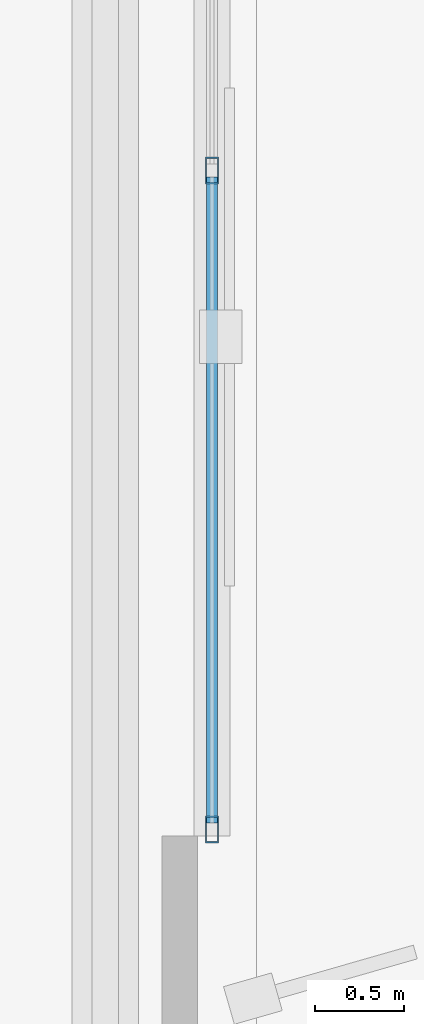
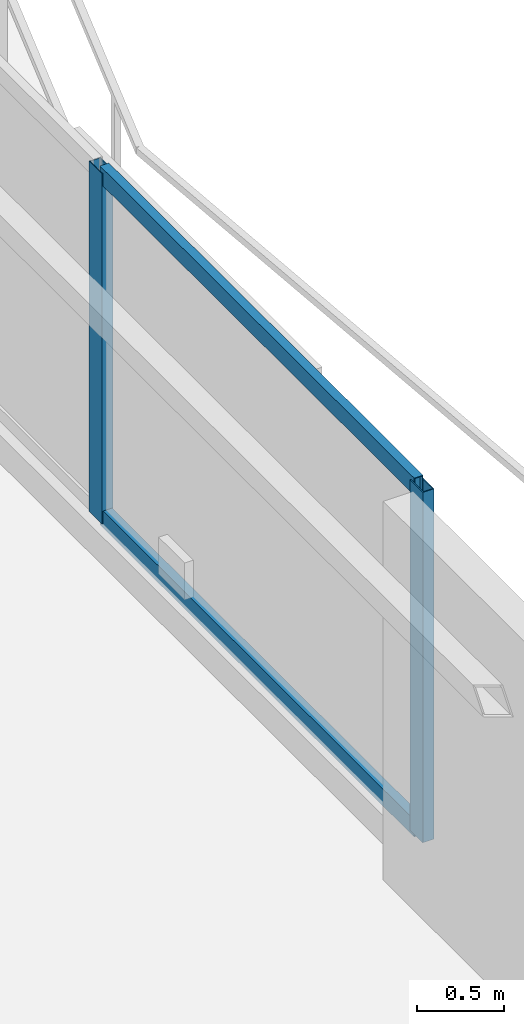
# One storey, part 8 of 23: 4 members, 1 element without a shape of its own.
"""IFC4 building model written with IfcOpenShell, lengths in metres."""

import ifcopenshell
import ifcopenshell.guid

model = None  # the IFC model being written
_history = None  # IfcOwnerHistory: only IFC2X3 demands one
_inside = {}  # id of a spatial element -> (the spatial element, [elements in it])
_under = {}  # id of a project, library or spatial element -> (it, [spatial elements below it])
_declared = {}  # id of a project -> (the project, [libraries it declares])
_typed = {}  # id of a type object -> (the type object, [elements of that type])
_made_of = {}  # id of a material, layer set ... -> (it, [elements and type objects made of it])


def new_model(schema):
    """Start an empty IFC model of exactly this schema.

    Asked for "IFC4X3", IfcOpenShell would pick the latest addendum, in which some entities
    have other attributes; the version numbers below select the first issue.
    IFC2X3 requires an IfcOwnerHistory on every rooted entity: one is made here for all.
    """
    global model, _history
    if schema == "IFC4X3":
        model = ifcopenshell.file(schema_version=(4, 3, 0, 0))
    else:
        model = ifcopenshell.file(schema=schema)
    _inside.clear()
    _under.clear()
    _declared.clear()
    _typed.clear()
    _made_of.clear()
    _history = None
    if model.schema == "IFC2X3":
        org = make("IfcOrganization", Name="unknown")
        user = make(
            "IfcPersonAndOrganization",
            ThePerson=make("IfcPerson", FamilyName="unknown"),
            TheOrganization=org,
        )
        app = make(
            "IfcApplication",
            ApplicationDeveloper=org,
            Version="unknown",
            ApplicationFullName="unknown",
            ApplicationIdentifier="unknown",
        )
        _history = make(
            "IfcOwnerHistory",
            OwningUser=user,
            OwningApplication=app,
            ChangeAction="ADDED",
            CreationDate=0,
        )
    return model


def make(cls, **values):
    """One entity of the class cls with the attributes given. An attribute that is None is left unset."""
    return model.create_entity(
        cls, **{name: value for name, value in values.items() if value is not None}
    )


def rooted(cls, **values):
    """An entity with a GlobalId (a new one), such as an element, a storey or a relation."""
    return make(cls, GlobalId=ifcopenshell.guid.new(), OwnerHistory=_history, **values)


def si_unit(unit_type, name, prefix=None):
    """IfcSIUnit, for example si_unit("LENGTHUNIT", "METRE", prefix="MILLI")."""
    return make("IfcSIUnit", UnitType=unit_type, Prefix=prefix, Name=name)


def assignment(units):
    """IfcUnitAssignment: the units of a project."""
    return None if units is None else make("IfcUnitAssignment", Units=units)


def point(xyz):
    """IfcCartesianPoint."""
    return None if xyz is None else make("IfcCartesianPoint", Coordinates=xyz)


def direction(xyz):
    """IfcDirection."""
    return None if xyz is None else make("IfcDirection", DirectionRatios=xyz)


def frame(location, z_axis=None, x_axis=None):
    """IfcAxis2Placement3D, a coordinate frame: its origin and axes. An axis left out is left unset."""
    return make(
        "IfcAxis2Placement3D",
        Location=point(location),
        Axis=direction(z_axis),
        RefDirection=direction(x_axis),
    )


def frame_2d(location, x_axis=None):
    """IfcAxis2Placement2D, a coordinate frame in the plane: its origin and x axis."""
    return make(
        "IfcAxis2Placement2D", Location=point(location), RefDirection=direction(x_axis)
    )


def origin():
    """The frame at (0, 0, 0) with its axes left unset."""
    return frame((0.0, 0.0, 0.0))


def origin_2d():
    """The frame at (0, 0) in the plane with its x axis left unset."""
    return frame_2d((0.0, 0.0))


def place(relative_to, where):
    """IfcLocalPlacement: puts the frame where relative to a parent placement (None: the world)."""
    return make(
        "IfcLocalPlacement", PlacementRelTo=relative_to, RelativePlacement=where
    )


def context(
    kind, dimensions, precision=None, world=None, true_north=None, identifier=None
):
    """IfcGeometricRepresentationContext, for example the 3D "Model" context."""
    return make(
        "IfcGeometricRepresentationContext",
        ContextIdentifier=identifier,
        ContextType=kind,
        CoordinateSpaceDimension=dimensions,
        Precision=precision,
        WorldCoordinateSystem=world,
        TrueNorth=true_north,
    )


def subcontext(parent, identifier, kind, view, scale=None):
    """IfcGeometricRepresentationSubContext, for example "Body" below "Model"."""
    return make(
        "IfcGeometricRepresentationSubContext",
        ContextIdentifier=identifier,
        ContextType=kind,
        ParentContext=parent,
        TargetScale=scale,
        TargetView=view,
    )


def project(units=None, contexts=None):
    """IfcProject with its units and contexts."""
    return rooted(
        "IfcProject",
        Name="project",
        RepresentationContexts=contexts,
        UnitsInContext=assignment(units),
    )


def spatial(cls, under=None, at=None, **own):
    """A site, building, storey or space (cls), placed at a placement, below another one or the project."""
    s = rooted(cls, ObjectPlacement=at, **own)
    if under is not None:
        _under.setdefault(under.id(), (under, []))[1].append(s)
    return s


def profile(cls, at=None, kind="AREA", **sizes):
    """A parametric profile (cls). Its sizes go by their IFC names, for example OverallWidth=200.0."""
    return make(cls, ProfileType=kind, Position=at, **sizes)


def hollow_rectangle(**sizes):
    """IfcRectangleHollowProfileDef."""
    return profile("IfcRectangleHollowProfileDef", **sizes)


def extrude(swept, where, along, depth):
    """IfcExtrudedAreaSolid: the profile swept, set in the frame where, extruded along a direction by depth."""
    return make(
        "IfcExtrudedAreaSolid",
        SweptArea=swept,
        Position=where,
        ExtrudedDirection=direction(along),
        Depth=depth,
    )


def shape(context_of_items, identifier, shape_type, items):
    """IfcShapeRepresentation: the items that make up one representation, for example the "Body"."""
    return make(
        "IfcShapeRepresentation",
        ContextOfItems=context_of_items,
        RepresentationIdentifier=identifier,
        RepresentationType=shape_type,
        Items=items,
    )


def material(Name=None, Category=None):
    """IfcMaterial."""
    return make("IfcMaterial", Name=Name, Category=Category)


def layer(
    of_material, thickness, ventilated=None, Name=None, Category=None, Priority=None
):
    """IfcMaterialLayer: one layer of a wall or slab, of a material (None: an air gap)."""
    return make(
        "IfcMaterialLayer",
        Material=of_material,
        LayerThickness=thickness,
        IsVentilated=ventilated,
        Name=Name,
        Category=Category,
        Priority=Priority,
    )


def layer_set(layers, Name=None):
    """IfcMaterialLayerSet."""
    return make("IfcMaterialLayerSet", MaterialLayers=layers, LayerSetName=Name)


def material_profile(
    of_material, cross_section, Name=None, Category=None, Priority=None
):
    """IfcMaterialProfile: a cross section and its material."""
    return make(
        "IfcMaterialProfile",
        Name=Name,
        Material=of_material,
        Profile=cross_section,
        Priority=Priority,
        Category=Category,
    )


def profile_set(profiles, Name=None, composite=None):
    """IfcMaterialProfileSet."""
    return make(
        "IfcMaterialProfileSet",
        Name=Name,
        MaterialProfiles=profiles,
        CompositeProfile=composite,
    )


def made_of(thing, what):
    """Note that an element or type object is made of a material, layer set ...; save() writes the relation."""
    if what is not None:
        _made_of.setdefault(what.id(), (what, []))[1].append(thing)
    return thing


def type_object(cls, material=None, **own):
    """A type object (cls), such as IfcWallType, which elements share."""
    return made_of(rooted(cls, **own), material)


def element(
    cls,
    number,
    at=None,
    inside=None,
    cuts=None,
    type_object=None,
    material=None,
    context=None,
    identifier="Body",
    shape_type=None,
    held_by="IfcProductDefinitionShape",
    body=None,
    shapes=None,
    **own,
):
    """One element of the class cls, such as IfcWall. Its Tag is "e" and its number.

    at: its placement. inside: the storey or other place that contains it. cuts: it is an
    opening in that element (IfcRelVoidsElement). A single representation is given by context,
    identifier, shape_type and body (its items); several are given by shapes. held_by: the class
    of the entity that holds the representations. save() writes the other relations.
    """
    e = rooted(cls, Tag="e%d" % number, ObjectPlacement=at, **own)
    if body is not None:
        shapes = [shape(context, identifier, shape_type, body)]
    if shapes is not None:
        e.Representation = make(held_by, Representations=shapes)
    if inside is not None:
        _inside.setdefault(inside.id(), (inside, []))[1].append(e)
    if cuts is not None:
        rooted(
            "IfcRelVoidsElement", RelatingBuildingElement=cuts, RelatedOpeningElement=e
        )
    if type_object is not None:
        _typed.setdefault(type_object.id(), (type_object, []))[1].append(e)
    return made_of(e, material)


def aggregate(whole, parts):
    """IfcRelAggregates: a whole, such as a stair, and the parts it consists of."""
    return rooted("IfcRelAggregates", RelatingObject=whole, RelatedObjects=parts)


def save(model, path):
    """Write the relations noted so far, then the file.

    IfcRelAggregates (storeys below a building ...), IfcRelContainedInSpatialStructure (elements
    in a storey), IfcRelDefinesByType, IfcRelAssociatesMaterial and IfcRelDeclares: one each for
    every whole, place, type object, material and project.
    """
    for whole, parts in _under.values():
        aggregate(whole, parts)
    for where, things in _inside.values():
        rooted(
            "IfcRelContainedInSpatialStructure",
            RelatedElements=things,
            RelatingStructure=where,
        )
    for kind, things in _typed.values():
        rooted("IfcRelDefinesByType", RelatedObjects=things, RelatingType=kind)
    for what, things in _made_of.values():
        rooted("IfcRelAssociatesMaterial", RelatedObjects=things, RelatingMaterial=what)
    for by, libraries in _declared.values():
        rooted("IfcRelDeclares", RelatingContext=by, RelatedDefinitions=libraries)
    model.write(path)


model = new_model("IFC4")

# Units and contexts
model_context = context("Model", 3, precision=1e-05, world=origin(), true_north=direction((0.0, 1.0)))
body_context = subcontext(model_context, "Body", "Model", "MODEL_VIEW")
ifc_project = project(units=[si_unit("LENGTHUNIT", "METRE"), si_unit("AREAUNIT", "SQUARE_METRE"), si_unit("VOLUMEUNIT", "CUBIC_METRE"), si_unit("PLANEANGLEUNIT", "RADIAN"), si_unit("MASSUNIT", "GRAM", prefix="KILO")], contexts=[model_context])

# Site, building, storey
site_placement = place(None, origin())
site = spatial("IfcSite", under=ifc_project, at=site_placement, CompositionType="ELEMENT")
building_placement = place(site_placement, origin())
building = spatial("IfcBuilding", under=site, at=building_placement, Name="Mersakhor Tower and Convention Hall", CompositionType="ELEMENT")
storey_placement = place(building_placement, frame((0.0, 0.0, 93.300048828125)))
storey = spatial("IfcBuildingStorey", under=building, at=storey_placement, Name="L25", CompositionType="ELEMENT", Elevation=93.300048828125)

# Curtain wall, members
ifc_material_1 = material(Name="Dark solar low-E aluminium curtain wall", Category="aluminium")
ifc_layer = layer(ifc_material_1, 0.159912109375)
ifc_layer_set = layer_set([ifc_layer], Name="Dark solar low-E aluminium curtain wall")
curtain_wall_type = type_object("IfcCurtainWallType", Name="CW-SYS-01", PredefinedType="USERDEFINED", material=ifc_layer_set)
curtain_wall_placement = place(storey_placement, origin())
curtain_wall = element("IfcCurtainWall", 1, at=curtain_wall_placement, inside=storey, type_object=curtain_wall_type, Name="L25 Dark-Glass Curtain Wall F2-B2", ObjectType="CURTAIN WALL", PredefinedType="USERDEFINED")
ifc_material_2 = material(Name="Anodised aluminium EN AW-6063 T6", Category="aluminium")
ifc_material_profile_1 = material_profile(ifc_material_2, hollow_rectangle(XDim=0.074951171875, YDim=0.14990234375, WallThickness=0.00634765625, at=origin_2d()), Name="RHS 150x75x6.3")
ifc_profile_set_1 = profile_set([ifc_material_profile_1], Name="Anodised aluminium EN AW-6063 T6")
member_type_1 = type_object("IfcMemberType", Name="CWM-150x75", PredefinedType="MULLION", material=ifc_profile_set_1)
member_1_placement = place(storey_placement, frame((43.03466796875, 24.87841796875, 0.199951171875), z_axis=(0.0, 0.0, 1.0), x_axis=(1.0, 0.0, 0.0)))
member_1 = element("IfcMember", 2, at=member_1_placement, type_object=member_type_1, Name="CW-01 mullion 3", PredefinedType="MULLION", context=body_context, shape_type="SweptSolid", body=[
    extrude(hollow_rectangle(XDim=0.074951171875, YDim=0.14990234375, WallThickness=0.00634765625, at=origin_2d()), origin(), (0.0, 0.0, 1.0), 2.469970703125),
])
member_2_placement = place(storey_placement, frame((43.03466796875, 21.172607421875, 0.199951171875), z_axis=(0.0, 0.0, 1.0), x_axis=(1.0, 0.0, 0.0)))
member_2 = element("IfcMember", 3, at=member_2_placement, type_object=member_type_1, Name="CW-01 mullion 4", PredefinedType="MULLION", context=body_context, shape_type="SweptSolid", body=[
    extrude(hollow_rectangle(XDim=0.074951171875, YDim=0.14990234375, WallThickness=0.00634765625, at=origin_2d()), origin(), (0.0, 0.0, 1.0), 2.469970703125),
])
ifc_material_3 = material(Name="Anodised aluminium EN AW-6063 T6", Category="aluminium")
ifc_material_profile_2 = material_profile(ifc_material_3, hollow_rectangle(XDim=0.06005859375, YDim=0.1201171875, WallThickness=0.0048828125, at=origin_2d()), Name="RHS 120x60x5")
ifc_profile_set_2 = profile_set([ifc_material_profile_2], Name="Anodised aluminium EN AW-6063 T6")
member_type_2 = type_object("IfcMemberType", Name="CWT-120x60", PredefinedType="USERDEFINED", material=ifc_profile_set_2)
member_3_placement = place(storey_placement, frame((43.03466796875, 24.8408203125, 0.22998046875), z_axis=(0.0, -1.0, 0.0), x_axis=(1.0, 0.0, 0.0)))
member_3 = element("IfcMember", 4, at=member_3_placement, type_object=member_type_2, Name="CW-01 transom 3.1", ObjectType="TRANSOM", PredefinedType="USERDEFINED", context=body_context, shape_type="SweptSolid", body=[
    extrude(hollow_rectangle(XDim=0.06005859375, YDim=0.1201171875, WallThickness=0.0048828125, at=origin_2d()), origin(), (0.0, 0.0, 1.0), 3.630615234375),
])
member_4_placement = place(storey_placement, frame((43.03466796875, 24.8408203125, 2.639892578125), z_axis=(0.0, -1.0, 0.0), x_axis=(1.0, 0.0, 0.0)))
member_4 = element("IfcMember", 5, at=member_4_placement, type_object=member_type_2, Name="CW-01 transom 3.2", ObjectType="TRANSOM", PredefinedType="USERDEFINED", context=body_context, shape_type="SweptSolid", body=[
    extrude(hollow_rectangle(XDim=0.06005859375, YDim=0.1201171875, WallThickness=0.0048828125, at=origin_2d()), origin(), (0.0, 0.0, 1.0), 3.630615234375),
])
aggregate(curtain_wall, [member_1, member_2, member_3, member_4])

save(model, "model.ifc")
